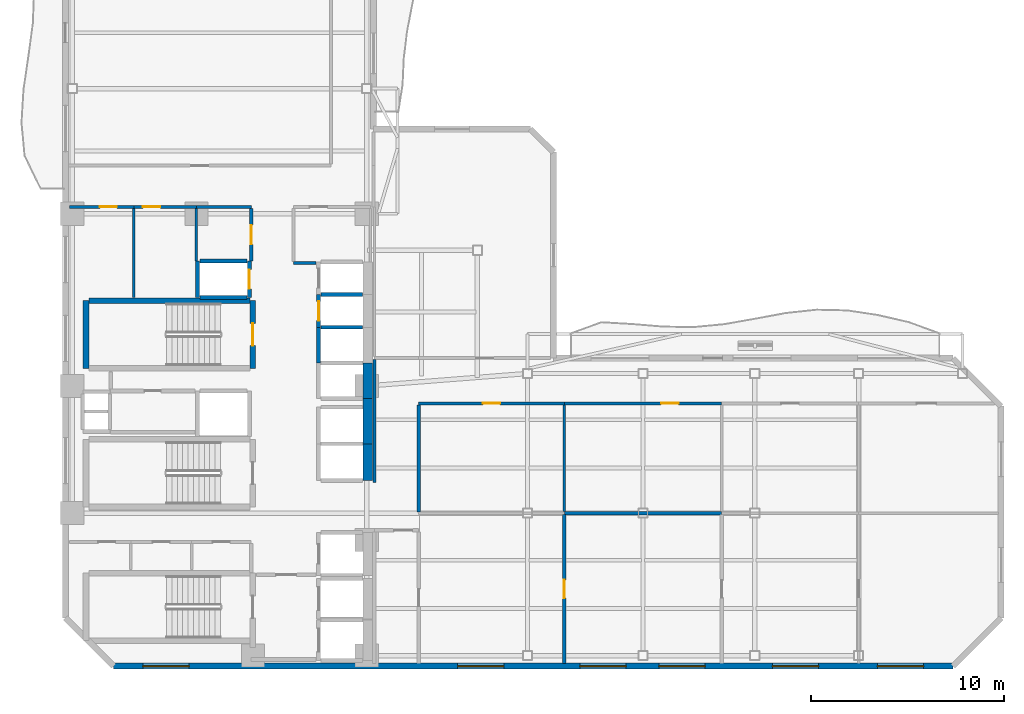
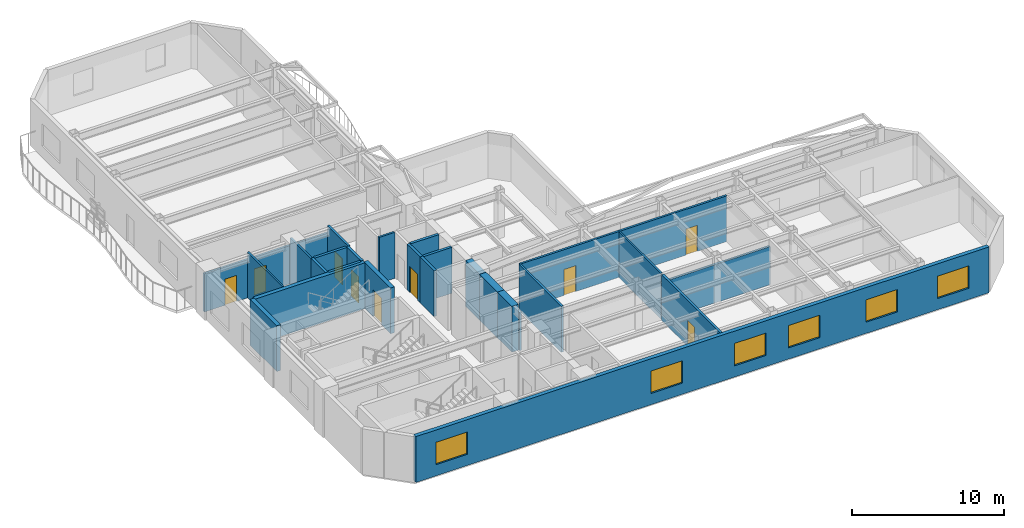
# One storey, part 4 of 9: 29 walls, 9 doors, 6 windows, 15 openings.
"""IFC4 building model written with IfcOpenShell, lengths in metres."""

import ifcopenshell
import ifcopenshell.guid

model = None  # the IFC model being written
_history = None  # IfcOwnerHistory: only IFC2X3 demands one
_inside = {}  # id of a spatial element -> (the spatial element, [elements in it])
_under = {}  # id of a project, library or spatial element -> (it, [spatial elements below it])
_declared = {}  # id of a project -> (the project, [libraries it declares])
_typed = {}  # id of a type object -> (the type object, [elements of that type])
_made_of = {}  # id of a material, layer set ... -> (it, [elements and type objects made of it])


def new_model(schema):
    """Start an empty IFC model of exactly this schema.

    Asked for "IFC4X3", IfcOpenShell would pick the latest addendum, in which some entities
    have other attributes; the version numbers below select the first issue.
    IFC2X3 requires an IfcOwnerHistory on every rooted entity: one is made here for all.
    """
    global model, _history
    if schema == "IFC4X3":
        model = ifcopenshell.file(schema_version=(4, 3, 0, 0))
    else:
        model = ifcopenshell.file(schema=schema)
    _inside.clear()
    _under.clear()
    _declared.clear()
    _typed.clear()
    _made_of.clear()
    _history = None
    if model.schema == "IFC2X3":
        org = make("IfcOrganization", Name="unknown")
        user = make(
            "IfcPersonAndOrganization",
            ThePerson=make("IfcPerson", FamilyName="unknown"),
            TheOrganization=org,
        )
        app = make(
            "IfcApplication",
            ApplicationDeveloper=org,
            Version="unknown",
            ApplicationFullName="unknown",
            ApplicationIdentifier="unknown",
        )
        _history = make(
            "IfcOwnerHistory",
            OwningUser=user,
            OwningApplication=app,
            ChangeAction="ADDED",
            CreationDate=0,
        )
    return model


def make(cls, **values):
    """One entity of the class cls with the attributes given. An attribute that is None is left unset."""
    return model.create_entity(
        cls, **{name: value for name, value in values.items() if value is not None}
    )


def rooted(cls, **values):
    """An entity with a GlobalId (a new one), such as an element, a storey or a relation."""
    return make(cls, GlobalId=ifcopenshell.guid.new(), OwnerHistory=_history, **values)


def si_unit(unit_type, name, prefix=None):
    """IfcSIUnit, for example si_unit("LENGTHUNIT", "METRE", prefix="MILLI")."""
    return make("IfcSIUnit", UnitType=unit_type, Prefix=prefix, Name=name)


def assignment(units):
    """IfcUnitAssignment: the units of a project."""
    return None if units is None else make("IfcUnitAssignment", Units=units)


def point(xyz):
    """IfcCartesianPoint."""
    return None if xyz is None else make("IfcCartesianPoint", Coordinates=xyz)


def direction(xyz):
    """IfcDirection."""
    return None if xyz is None else make("IfcDirection", DirectionRatios=xyz)


def frame(location, z_axis=None, x_axis=None):
    """IfcAxis2Placement3D, a coordinate frame: its origin and axes. An axis left out is left unset."""
    return make(
        "IfcAxis2Placement3D",
        Location=point(location),
        Axis=direction(z_axis),
        RefDirection=direction(x_axis),
    )


def frame_2d(location, x_axis=None):
    """IfcAxis2Placement2D, a coordinate frame in the plane: its origin and x axis."""
    return make(
        "IfcAxis2Placement2D", Location=point(location), RefDirection=direction(x_axis)
    )


def origin():
    """The frame at (0, 0, 0) with its axes left unset."""
    return frame((0.0, 0.0, 0.0))


def place(relative_to, where):
    """IfcLocalPlacement: puts the frame where relative to a parent placement (None: the world)."""
    return make(
        "IfcLocalPlacement", PlacementRelTo=relative_to, RelativePlacement=where
    )


def context(
    kind, dimensions, precision=None, world=None, true_north=None, identifier=None
):
    """IfcGeometricRepresentationContext, for example the 3D "Model" context."""
    return make(
        "IfcGeometricRepresentationContext",
        ContextIdentifier=identifier,
        ContextType=kind,
        CoordinateSpaceDimension=dimensions,
        Precision=precision,
        WorldCoordinateSystem=world,
        TrueNorth=true_north,
    )


def subcontext(parent, identifier, kind, view, scale=None):
    """IfcGeometricRepresentationSubContext, for example "Body" below "Model"."""
    return make(
        "IfcGeometricRepresentationSubContext",
        ContextIdentifier=identifier,
        ContextType=kind,
        ParentContext=parent,
        TargetScale=scale,
        TargetView=view,
    )


def project(units=None, contexts=None):
    """IfcProject with its units and contexts."""
    return rooted(
        "IfcProject",
        Name="project",
        RepresentationContexts=contexts,
        UnitsInContext=assignment(units),
    )


def spatial(cls, under=None, at=None, **own):
    """A site, building, storey or space (cls), placed at a placement, below another one or the project."""
    s = rooted(cls, ObjectPlacement=at, **own)
    if under is not None:
        _under.setdefault(under.id(), (under, []))[1].append(s)
    return s


def profile(cls, at=None, kind="AREA", **sizes):
    """A parametric profile (cls). Its sizes go by their IFC names, for example OverallWidth=200.0."""
    return make(cls, ProfileType=kind, Position=at, **sizes)


def rectangle(**sizes):
    """IfcRectangleProfileDef."""
    return profile("IfcRectangleProfileDef", **sizes)


def extrude(swept, where, along, depth):
    """IfcExtrudedAreaSolid: the profile swept, set in the frame where, extruded along a direction by depth."""
    return make(
        "IfcExtrudedAreaSolid",
        SweptArea=swept,
        Position=where,
        ExtrudedDirection=direction(along),
        Depth=depth,
    )


def shape(context_of_items, identifier, shape_type, items):
    """IfcShapeRepresentation: the items that make up one representation, for example the "Body"."""
    return make(
        "IfcShapeRepresentation",
        ContextOfItems=context_of_items,
        RepresentationIdentifier=identifier,
        RepresentationType=shape_type,
        Items=items,
    )


def material(Name=None, Category=None):
    """IfcMaterial."""
    return make("IfcMaterial", Name=Name, Category=Category)


def layer(
    of_material, thickness, ventilated=None, Name=None, Category=None, Priority=None
):
    """IfcMaterialLayer: one layer of a wall or slab, of a material (None: an air gap)."""
    return make(
        "IfcMaterialLayer",
        Material=of_material,
        LayerThickness=thickness,
        IsVentilated=ventilated,
        Name=Name,
        Category=Category,
        Priority=Priority,
    )


def layer_set(layers, Name=None):
    """IfcMaterialLayerSet."""
    return make("IfcMaterialLayerSet", MaterialLayers=layers, LayerSetName=Name)


def made_of(thing, what):
    """Note that an element or type object is made of a material, layer set ...; save() writes the relation."""
    if what is not None:
        _made_of.setdefault(what.id(), (what, []))[1].append(thing)
    return thing


def type_object(cls, material=None, **own):
    """A type object (cls), such as IfcWallType, which elements share."""
    return made_of(rooted(cls, **own), material)


def element(
    cls,
    number,
    at=None,
    inside=None,
    cuts=None,
    type_object=None,
    material=None,
    context=None,
    identifier="Body",
    shape_type=None,
    held_by="IfcProductDefinitionShape",
    body=None,
    shapes=None,
    **own,
):
    """One element of the class cls, such as IfcWall. Its Tag is "e" and its number.

    at: its placement. inside: the storey or other place that contains it. cuts: it is an
    opening in that element (IfcRelVoidsElement). A single representation is given by context,
    identifier, shape_type and body (its items); several are given by shapes. held_by: the class
    of the entity that holds the representations. save() writes the other relations.
    """
    e = rooted(cls, Tag="e%d" % number, ObjectPlacement=at, **own)
    if body is not None:
        shapes = [shape(context, identifier, shape_type, body)]
    if shapes is not None:
        e.Representation = make(held_by, Representations=shapes)
    if inside is not None:
        _inside.setdefault(inside.id(), (inside, []))[1].append(e)
    if cuts is not None:
        rooted(
            "IfcRelVoidsElement", RelatingBuildingElement=cuts, RelatedOpeningElement=e
        )
    if type_object is not None:
        _typed.setdefault(type_object.id(), (type_object, []))[1].append(e)
    return made_of(e, material)


def fill(opening, filler):
    """IfcRelFillsElement: the door or window that sits in an opening."""
    return rooted(
        "IfcRelFillsElement",
        RelatingOpeningElement=opening,
        RelatedBuildingElement=filler,
    )


def aggregate(whole, parts):
    """IfcRelAggregates: a whole, such as a stair, and the parts it consists of."""
    return rooted("IfcRelAggregates", RelatingObject=whole, RelatedObjects=parts)


def save(model, path):
    """Write the relations noted so far, then the file.

    IfcRelAggregates (storeys below a building ...), IfcRelContainedInSpatialStructure (elements
    in a storey), IfcRelDefinesByType, IfcRelAssociatesMaterial and IfcRelDeclares: one each for
    every whole, place, type object, material and project.
    """
    for whole, parts in _under.values():
        aggregate(whole, parts)
    for where, things in _inside.values():
        rooted(
            "IfcRelContainedInSpatialStructure",
            RelatedElements=things,
            RelatingStructure=where,
        )
    for kind, things in _typed.values():
        rooted("IfcRelDefinesByType", RelatedObjects=things, RelatingType=kind)
    for what, things in _made_of.values():
        rooted("IfcRelAssociatesMaterial", RelatedObjects=things, RelatingMaterial=what)
    for by, libraries in _declared.values():
        rooted("IfcRelDeclares", RelatingContext=by, RelatedDefinitions=libraries)
    model.write(path)


model = new_model("IFC4")

# Units and contexts
model_context = context("Model", 3, precision=1e-05, world=origin(), true_north=direction((0.0, 1.0)))
body_context = subcontext(model_context, "Body", "Model", "MODEL_VIEW")
ifc_project = project(units=[si_unit("LENGTHUNIT", "METRE"), si_unit("AREAUNIT", "SQUARE_METRE"), si_unit("VOLUMEUNIT", "CUBIC_METRE"), si_unit("PLANEANGLEUNIT", "RADIAN"), si_unit("MASSUNIT", "GRAM", prefix="KILO")], contexts=[model_context])

# Site, building, storey
site_placement = place(None, origin())
site = spatial("IfcSite", under=ifc_project, at=site_placement, CompositionType="ELEMENT")
building_placement = place(site_placement, origin())
building = spatial("IfcBuilding", under=site, at=building_placement, Name="Mawjaban Terraces University", CompositionType="ELEMENT")
storey_placement = place(building_placement, frame((0.0, 0.0, 130.699951171875)))
storey = spatial("IfcBuildingStorey", under=building, at=storey_placement, Name="L31", CompositionType="ELEMENT", Elevation=130.699951171875)

# Wall
ifc_material_1 = material(Name="Acoustic masonry blockwork", Category="masonry")
ifc_layer_1 = layer(ifc_material_1, 0.179931640625)
ifc_layer_set_1 = layer_set([ifc_layer_1], Name="Acoustic masonry blockwork")
wall_type_1 = type_object("IfcWallType", Name="AcousticStudioWall_180", PredefinedType="PARTITIONING", material=ifc_layer_set_1)
wall_1_placement = place(storey_placement, frame((56.080078125, 7.949951171875, 0.0), z_axis=(0.0, 0.0, 1.0), x_axis=(-1.0, 0.0, 0.0)))
element("IfcWall", 1, at=wall_1_placement, inside=storey, type_object=wall_type_1, Name="L31 Media Workshop 4 Partition 21", PredefinedType="PARTITIONING", context=body_context, shape_type="SweptSolid", body=[
    extrude(rectangle(XDim=8.170166015625, YDim=0.179931640625, at=frame_2d((4.0849609375, 0.0))), origin(), (0.0, 0.0, 1.0), 3.072998046875),
])

# Wall, opening, door
wall_2_placement = place(storey_placement, frame((47.909912109375, 0.14501953125, 0.0), z_axis=(0.0, 0.0, 1.0), x_axis=(0.0, 1.0, 0.0)))
wall_2 = element("IfcWall", 2, at=wall_2_placement, inside=storey, type_object=wall_type_1, Name="L31 Quiet Reading Room 2 Partition 44", PredefinedType="PARTITIONING", context=body_context, shape_type="SweptSolid", body=[
    extrude(rectangle(XDim=7.719970703125, YDim=0.179931640625, at=frame_2d((3.85986328125, 0.0))), origin(), (0.0, 0.0, 1.0), 3.68994140625),
])
opening_1_placement = place(wall_2_placement, frame((3.385009765625, 0.0, 0.0)))
opening_1 = element("IfcOpeningElement", 3, at=opening_1_placement, cuts=wall_2, Name="Opening ID-095", PredefinedType="OPENING", context=body_context, shape_type="SweptSolid", body=[
    extrude(rectangle(XDim=0.949951171875, YDim=2.10009765625, at=frame_2d((0.47509765625, 1.050048828125))), frame((0.0, 0.099853515625, 0.0), z_axis=(0.0, -1.0, 0.0), x_axis=(1.0, 0.0, 0.0)), (0.0, 0.0, 1.0), 0.199951171875),
])
ifc_material_2 = material(Name="Powder-coated steel frame and solid acoustic timber leaf", Category="steel")
door_type_1 = type_object("IfcDoorType", Name="StudioDoor_950x2100", OperationType="NOTDEFINED", PredefinedType="DOOR", material=ifc_material_2)
door_1_placement = place(opening_1_placement, origin())
door_1 = element("IfcDoor", 4, at=door_1_placement, inside=storey, type_object=door_type_1, Name="L31 Media Workshop 4 Door", OperationType="SINGLE_SWING_RIGHT", OverallHeight=2.10009765625, OverallWidth=0.949951171875, PredefinedType="DOOR", context=body_context, shape_type="SweptSolid", body=[
    extrude(rectangle(XDim=0.949951171875, YDim=2.10009765625, at=frame_2d((0.47509765625, 1.050048828125))), frame((0.0, 0.02490234375, 0.0), z_axis=(0.0, -1.0, 0.0), x_axis=(1.0, 0.0, 0.0)), (0.0, 0.0, 1.0), 0.050048828125),
])
fill(opening_1, door_1)

# Walls
ifc_material_3 = material(Name="Concrete C60/75", Category="concrete")
ifc_layer_2 = layer(ifc_material_3, 0.5)
ifc_layer_set_2 = layer_set([ifc_layer_2], Name="Concrete C60/75")
wall_type_2 = type_object("IfcWallType", Name="CoreShearWall_500", PredefinedType="SHEAR", material=ifc_layer_set_2)
wall_3_placement = place(storey_placement, frame((37.699951171875, 9.64990234375, 0.0), z_axis=(0.0, 0.0, 1.0), x_axis=(0.0, 1.0, 0.0)))
element("IfcWall", 5, at=wall_3_placement, inside=storey, type_object=wall_type_2, Name="L31 Lift PL-H1 Hoistway Wall East", PredefinedType="SHEAR", context=body_context, shape_type="SweptSolid", body=[
    extrude(rectangle(XDim=1.900146484375, YDim=0.5, at=frame_2d((0.9501953125, 0.0))), origin(), (0.0, 0.0, 1.0), 3.68994140625),
])
wall_4_placement = place(storey_placement, frame((37.699951171875, 11.550048828125, 0.0), z_axis=(0.0, 0.0, 1.0), x_axis=(0.0, 1.0, 0.0)))
element("IfcWall", 6, at=wall_4_placement, inside=storey, type_object=wall_type_2, Name="L31 Lift PL-H2 Hoistway Wall East", PredefinedType="SHEAR", context=body_context, shape_type="SweptSolid", body=[
    extrude(rectangle(XDim=2.349853515625, YDim=0.5, at=frame_2d((1.1748046875, 0.0))), origin(), (0.0, 0.0, 1.0), 3.68994140625),
])
wall_5_placement = place(storey_placement, frame((37.699951171875, 13.89990234375, 0.0), z_axis=(0.0, 0.0, 1.0), x_axis=(0.0, 1.0, 0.0)))
element("IfcWall", 7, at=wall_5_placement, inside=storey, type_object=wall_type_2, Name="L31 Lift OL-1 Hoistway Wall East", PredefinedType="SHEAR", context=body_context, shape_type="SweptSolid", body=[
    extrude(rectangle(XDim=1.85009765625, YDim=0.5, at=frame_2d((0.925048828125, 0.0))), origin(), (0.0, 0.0, 1.0), 3.68994140625),
])

# Wall, opening, door
ifc_material_4 = material(Name="Fire-rated gypsum board on steel stud", Category="steel")
ifc_layer_3 = layer(ifc_material_4, 0.159912109375)
ifc_layer_set_3 = layer_set([ifc_layer_3], Name="Fire-rated gypsum board on steel stud")
wall_type_3 = type_object("IfcWallType", Name="CorridorPartition_160", PredefinedType="PARTITIONING", material=ifc_layer_set_3)
wall_6_placement = place(storey_placement, frame((25.550048828125, 23.85009765625, 0.0), z_axis=(0.0, 0.0, 1.0), x_axis=(-1.0, 0.0, 0.0)))
wall_6 = element("IfcWall", 8, at=wall_6_placement, inside=storey, type_object=wall_type_3, Name="L31 Ablution Room Partition 5", PredefinedType="PARTITIONING", context=body_context, shape_type="SweptSolid", body=[
    extrude(rectangle(XDim=3.35009765625, YDim=0.159912109375, at=frame_2d((1.675048828125, 0.0))), origin(), (0.0, 0.0, 1.0), 3.072998046875),
])
opening_2_placement = place(wall_6_placement, frame((0.885009765625, 0.0, 0.0)))
opening_2 = element("IfcOpeningElement", 9, at=opening_2_placement, cuts=wall_6, Name="Opening ID-088", PredefinedType="OPENING", context=body_context, shape_type="SweptSolid", body=[
    extrude(rectangle(XDim=0.8798828125, YDim=2.10009765625, at=frame_2d((0.43994140625, 1.050048828125))), frame((0.0, 0.08984375, 0.0), z_axis=(0.0, -1.0, 0.0), x_axis=(1.0, 0.0, 0.0)), (0.0, 0.0, 1.0), 0.179931640625),
])
door_type_2 = type_object("IfcDoorType", Name="ToiletDoor_880x2100", OperationType="NOTDEFINED", PredefinedType="DOOR", material=ifc_material_2)
door_2_placement = place(opening_2_placement, origin())
door_2 = element("IfcDoor", 10, at=door_2_placement, inside=storey, type_object=door_type_2, Name="L31 Ablution Room Door", OperationType="SINGLE_SWING_LEFT", OverallHeight=2.10009765625, OverallWidth=0.8798828125, PredefinedType="DOOR", context=body_context, shape_type="SweptSolid", body=[
    extrude(rectangle(XDim=0.8798828125, YDim=2.10009765625, at=frame_2d((0.43994140625, 1.050048828125))), frame((0.0, 0.02490234375, 0.0), z_axis=(0.0, -1.0, 0.0), x_axis=(1.0, 0.0, 0.0)), (0.0, 0.0, 1.0), 0.050048828125),
])
fill(opening_2, door_2)

wall_7_placement = place(storey_placement, frame((28.800048828125, 23.85009765625, 0.0), z_axis=(0.0, 0.0, 1.0), x_axis=(-1.0, 0.0, 0.0)))
wall_7 = element("IfcWall", 11, at=wall_7_placement, inside=storey, type_object=wall_type_3, Name="L31 Cleaner Store Partition 7", PredefinedType="PARTITIONING", context=body_context, shape_type="SweptSolid", body=[
    extrude(rectangle(XDim=3.25, YDim=0.159912109375, at=frame_2d((1.625, 0.0))), origin(), (0.0, 0.0, 1.0), 3.072998046875),
])
opening_3_placement = place(wall_7_placement, frame((1.875, 0.0, 0.0)))
opening_3 = element("IfcOpeningElement", 12, at=opening_3_placement, cuts=wall_7, Name="Opening ID-090", PredefinedType="OPENING", context=body_context, shape_type="SweptSolid", body=[
    extrude(rectangle(XDim=0.89990234375, YDim=2.10009765625, at=frame_2d((0.449951171875, 1.050048828125))), frame((0.0, 0.08984375, 0.0), z_axis=(0.0, -1.0, 0.0), x_axis=(1.0, 0.0, 0.0)), (0.0, 0.0, 1.0), 0.179931640625),
])
door_type_3 = type_object("IfcDoorType", Name="OfficeDoor_900x2100", OperationType="NOTDEFINED", PredefinedType="DOOR", material=ifc_material_2)
door_3_placement = place(opening_3_placement, origin())
door_3 = element("IfcDoor", 13, at=door_3_placement, inside=storey, type_object=door_type_3, Name="L31 Cleaner Store Door", OperationType="SINGLE_SWING_RIGHT", OverallHeight=2.10009765625, OverallWidth=0.89990234375, PredefinedType="DOOR", context=body_context, shape_type="SweptSolid", body=[
    extrude(rectangle(XDim=0.89990234375, YDim=2.10009765625, at=frame_2d((0.449951171875, 1.050048828125))), frame((0.0, 0.02490234375, 0.0), z_axis=(0.0, -1.0, 0.0), x_axis=(1.0, 0.0, 0.0)), (0.0, 0.0, 1.0), 0.050048828125),
])
fill(opening_3, door_3)

# Walls
wall_8_placement = place(storey_placement, frame((31.64990234375, 23.85009765625, 0.0), z_axis=(0.0, 0.0, 1.0), x_axis=(-1.0, 0.0, 0.0)))
element("IfcWall", 14, at=wall_8_placement, inside=storey, type_object=wall_type_3, Name="L31 Academic Tutorial Alcove Partition 9", PredefinedType="PARTITIONING", context=body_context, shape_type="SweptSolid", body=[
    extrude(rectangle(XDim=2.849853515625, YDim=0.159912109375, at=frame_2d((1.4248046875, 0.0))), origin(), (0.0, 0.0, 1.0), 3.072998046875),
])
wall_9_placement = place(storey_placement, frame((35.02001953125, 20.949951171875, 0.0), z_axis=(0.0, 0.0, 1.0), x_axis=(-1.0, 0.0, 0.0)))
element("IfcWall", 15, at=wall_9_placement, inside=storey, type_object=wall_type_3, Name="L31 Passenger Lift Lobby Partition 11", PredefinedType="PARTITIONING", context=body_context, shape_type="SweptSolid", body=[
    extrude(rectangle(XDim=1.169921875, YDim=0.159912109375, at=frame_2d((0.5849609375, 0.0))), origin(), (0.0, 0.0, 1.0), 3.68994140625),
])

# Wall, opening, door
wall_10_placement = place(storey_placement, frame((40.35009765625, 13.64990234375, 0.0), z_axis=(0.0, 0.0, 1.0), x_axis=(1.0, 0.0, 0.0)))
wall_10 = element("IfcWall", 16, at=wall_10_placement, inside=storey, type_object=wall_type_3, Name="L31 Inner Terrace Gallery Corridor East Partition 16", PredefinedType="PARTITIONING", context=body_context, shape_type="SweptSolid", body=[
    extrude(rectangle(XDim=7.559814453125, YDim=0.159912109375, at=frame_2d((3.77978515625, 0.0))), origin(), (0.0, 0.0, 1.0), 3.68994140625),
])
opening_4_placement = place(wall_10_placement, frame((3.330078125, 0.0, 0.0)))
opening_4 = element("IfcOpeningElement", 17, at=opening_4_placement, cuts=wall_10, Name="Opening ID-090", PredefinedType="OPENING", context=body_context, shape_type="SweptSolid", body=[
    extrude(rectangle(XDim=0.89990234375, YDim=2.10009765625, at=frame_2d((0.449951171875, 1.050048828125))), frame((0.0, 0.08984375, 0.0), z_axis=(0.0, -1.0, 0.0), x_axis=(1.0, 0.0, 0.0)), (0.0, 0.0, 1.0), 0.179931640625),
])
door_4_placement = place(opening_4_placement, origin())
door_4 = element("IfcDoor", 18, at=door_4_placement, inside=storey, type_object=door_type_3, Name="L31 Reading Salon 3 Door", OperationType="SINGLE_SWING_LEFT", OverallHeight=2.10009765625, OverallWidth=0.89990234375, PredefinedType="DOOR", context=body_context, shape_type="SweptSolid", body=[
    extrude(rectangle(XDim=0.89990234375, YDim=2.10009765625, at=frame_2d((0.449951171875, 1.050048828125))), frame((0.0, 0.02490234375, 0.0), z_axis=(0.0, -1.0, 0.0), x_axis=(1.0, 0.0, 0.0)), (0.0, 0.0, 1.0), 0.050048828125),
])
fill(opening_4, door_4)

wall_11_placement = place(storey_placement, frame((47.909912109375, 13.64990234375, 0.0), z_axis=(0.0, 0.0, 1.0), x_axis=(1.0, 0.0, 0.0)))
wall_11 = element("IfcWall", 19, at=wall_11_placement, inside=storey, type_object=wall_type_3, Name="L31 Inner Terrace Gallery Corridor East Partition 20", PredefinedType="PARTITIONING", context=body_context, shape_type="SweptSolid", body=[
    extrude(rectangle(XDim=8.170166015625, YDim=0.159912109375, at=frame_2d((4.0849609375, 0.0))), origin(), (0.0, 0.0, 1.0), 3.68994140625),
])
opening_5_placement = place(wall_11_placement, frame((5.034912109375, 0.0, 0.0)))
opening_5 = element("IfcOpeningElement", 20, at=opening_5_placement, cuts=wall_11, Name="Opening ID-090", PredefinedType="OPENING", context=body_context, shape_type="SweptSolid", body=[
    extrude(rectangle(XDim=0.89990234375, YDim=2.10009765625, at=frame_2d((0.449951171875, 1.050048828125))), frame((0.0, 0.08984375, 0.0), z_axis=(0.0, -1.0, 0.0), x_axis=(1.0, 0.0, 0.0)), (0.0, 0.0, 1.0), 0.179931640625),
])
door_5_placement = place(opening_5_placement, origin())
door_5 = element("IfcDoor", 21, at=door_5_placement, inside=storey, type_object=door_type_3, Name="L31 Quiet Reading Room 5 Door", OperationType="SINGLE_SWING_LEFT", OverallHeight=2.10009765625, OverallWidth=0.89990234375, PredefinedType="DOOR", context=body_context, shape_type="SweptSolid", body=[
    extrude(rectangle(XDim=0.89990234375, YDim=2.10009765625, at=frame_2d((0.449951171875, 1.050048828125))), frame((0.0, 0.02490234375, 0.0), z_axis=(0.0, -1.0, 0.0), x_axis=(1.0, 0.0, 0.0)), (0.0, 0.0, 1.0), 0.050048828125),
])
fill(opening_5, door_5)

wall_12_placement = place(storey_placement, frame((31.64990234375, 23.77490234375, 0.0), z_axis=(0.0, 0.0, 1.0), x_axis=(0.0, -1.0, 0.0)))
wall_12 = element("IfcWall", 22, at=wall_12_placement, inside=storey, type_object=wall_type_3, Name="L31 Core North Lift Lobby Partition 32", PredefinedType="PARTITIONING", context=body_context, shape_type="SweptSolid", body=[
    extrude(rectangle(XDim=2.724853515625, YDim=0.159912109375, at=frame_2d((1.3623046875, 0.0))), origin(), (0.0, 0.0, 1.0), 3.68994140625),
])
opening_6_placement = place(wall_12_placement, frame((0.862060546875, 0.0, 0.0)))
opening_6 = element("IfcOpeningElement", 23, at=opening_6_placement, cuts=wall_12, Name="Opening ID-100", PredefinedType="OPENING", context=body_context, shape_type="SweptSolid", body=[
    extrude(rectangle(XDim=1.0, YDim=2.10009765625, at=frame_2d((0.5, 1.050048828125))), frame((0.0, 0.08984375, 0.0), z_axis=(0.0, -1.0, 0.0), x_axis=(1.0, 0.0, 0.0)), (0.0, 0.0, 1.0), 0.179931640625),
])
door_type_4 = type_object("IfcDoorType", Name="ClassroomDoor_1000x2100", OperationType="NOTDEFINED", PredefinedType="DOOR", material=ifc_material_2)
door_6_placement = place(opening_6_placement, origin())
door_6 = element("IfcDoor", 24, at=door_6_placement, inside=storey, type_object=door_type_4, Name="L31 Academic Tutorial Alcove Door", OperationType="SINGLE_SWING_RIGHT", OverallHeight=2.10009765625, OverallWidth=1.0, PredefinedType="DOOR", context=body_context, shape_type="SweptSolid", body=[
    extrude(rectangle(XDim=1.0, YDim=2.10009765625, at=frame_2d((0.5, 1.050048828125))), frame((0.0, 0.02490234375, 0.0), z_axis=(0.0, -1.0, 0.0), x_axis=(1.0, 0.0, 0.0)), (0.0, 0.0, 1.0), 0.050048828125),
])
fill(opening_6, door_6)

# Walls
wall_13_placement = place(storey_placement, frame((38.050048828125, 15.925048828125, 0.0), z_axis=(0.0, 0.0, 1.0), x_axis=(0.0, -1.0, 0.0)))
element("IfcWall", 25, at=wall_13_placement, inside=storey, type_object=wall_type_3, Name="L31 Inner Gallery Link Corridor Partition 40", PredefinedType="PARTITIONING", context=body_context, shape_type="SweptSolid", body=[
    extrude(rectangle(XDim=6.375, YDim=0.159912109375, at=frame_2d((3.1875, 0.0))), origin(), (0.0, 0.0, 1.0), 3.072998046875),
])
wall_14_placement = place(storey_placement, frame((40.35009765625, 8.008056640625, 0.0), z_axis=(0.0, 0.0, 1.0), x_axis=(0.0, 1.0, 0.0)))
element("IfcWall", 26, at=wall_14_placement, inside=storey, type_object=wall_type_3, Name="L31 Inner Gallery Link Corridor Partition 43", PredefinedType="PARTITIONING", context=body_context, shape_type="SweptSolid", body=[
    extrude(rectangle(XDim=5.56689453125, YDim=0.159912109375, at=frame_2d((2.783447265625, 0.0))), origin(), (0.0, 0.0, 1.0), 3.68994140625),
])

# Wall, openings, windows
ifc_material_5 = material(Name="Insulated terracotta rainscreen on concrete backup C40/50", Category="masonry")
ifc_layer_4 = layer(ifc_material_5, 0.300048828125)
ifc_layer_set_4 = layer_set([ifc_layer_4], Name="Insulated terracotta rainscreen on concrete backup C40/50")
wall_type_4 = type_object("IfcWallType", Name="ExtTerracottaWall_300", PredefinedType="SOLIDWALL", material=ifc_layer_set_4)
wall_15_placement = place(storey_placement, frame((24.5, 0.0, 0.0), z_axis=(0.0, 0.0, 1.0), x_axis=(1.0, 0.0, 0.0)))
wall_15 = element("IfcWall", 27, at=wall_15_placement, inside=storey, type_object=wall_type_4, Name="L31 Exterior Terracotta Wall 1", PredefinedType="SOLIDWALL", context=body_context, shape_type="SweptSolid", body=[
    extrude(rectangle(XDim=43.60009765625, YDim=0.300048828125, at=frame_2d((21.800048828125, 0.0))), origin(), (0.0, 0.0, 1.0), 3.68994140625),
])
opening_7_placement = place(wall_15_placement, frame((1.52490234375, 0.0, 0.89990234375)))
opening_7 = element("IfcOpeningElement", 28, at=opening_7_placement, cuts=wall_15, Name="Opening W-08", PredefinedType="OPENING", context=body_context, shape_type="SweptSolid", body=[
    extrude(rectangle(XDim=2.39990234375, YDim=1.800048828125, at=frame_2d((1.199951171875, 0.89990234375))), frame((0.0, 0.159912109375, 0.0), z_axis=(0.0, -1.0, 0.0), x_axis=(1.0, 0.0, 0.0)), (0.0, 0.0, 1.0), 0.320068359375),
])
opening_8_placement = place(wall_15_placement, frame((17.875, 0.0, 0.89990234375)))
opening_8 = element("IfcOpeningElement", 29, at=opening_8_placement, cuts=wall_15, Name="Opening W-08", PredefinedType="OPENING", context=body_context, shape_type="SweptSolid", body=[
    extrude(rectangle(XDim=2.39990234375, YDim=1.800048828125, at=frame_2d((1.199951171875, 0.89990234375))), frame((0.0, 0.159912109375, 0.0), z_axis=(0.0, -1.0, 0.0), x_axis=(1.0, 0.0, 0.0)), (0.0, 0.0, 1.0), 0.320068359375),
])
opening_9_placement = place(wall_15_placement, frame((24.22509765625, 0.0, 0.89990234375)))
opening_9 = element("IfcOpeningElement", 30, at=opening_9_placement, cuts=wall_15, Name="Opening W-08", PredefinedType="OPENING", context=body_context, shape_type="SweptSolid", body=[
    extrude(rectangle(XDim=2.39990234375, YDim=1.800048828125, at=frame_2d((1.199951171875, 0.89990234375))), frame((0.0, 0.159912109375, 0.0), z_axis=(0.0, -1.0, 0.0), x_axis=(1.0, 0.0, 0.0)), (0.0, 0.0, 1.0), 0.320068359375),
])
opening_10_placement = place(wall_15_placement, frame((28.324951171875, 0.0, 0.89990234375)))
opening_10 = element("IfcOpeningElement", 31, at=opening_10_placement, cuts=wall_15, Name="Opening W-08", PredefinedType="OPENING", context=body_context, shape_type="SweptSolid", body=[
    extrude(rectangle(XDim=2.39990234375, YDim=1.800048828125, at=frame_2d((1.199951171875, 0.89990234375))), frame((0.0, 0.159912109375, 0.0), z_axis=(0.0, -1.0, 0.0), x_axis=(1.0, 0.0, 0.0)), (0.0, 0.0, 1.0), 0.320068359375),
])
opening_11_placement = place(wall_15_placement, frame((34.22509765625, 0.0, 0.89990234375)))
opening_11 = element("IfcOpeningElement", 32, at=opening_11_placement, cuts=wall_15, Name="Opening W-08", PredefinedType="OPENING", context=body_context, shape_type="SweptSolid", body=[
    extrude(rectangle(XDim=2.39990234375, YDim=1.800048828125, at=frame_2d((1.199951171875, 0.89990234375))), frame((0.0, 0.159912109375, 0.0), z_axis=(0.0, -1.0, 0.0), x_axis=(1.0, 0.0, 0.0)), (0.0, 0.0, 1.0), 0.320068359375),
])
opening_12_placement = place(wall_15_placement, frame((39.675048828125, 0.0, 0.89990234375)))
opening_12 = element("IfcOpeningElement", 33, at=opening_12_placement, cuts=wall_15, Name="Opening W-08", PredefinedType="OPENING", context=body_context, shape_type="SweptSolid", body=[
    extrude(rectangle(XDim=2.39990234375, YDim=1.800048828125, at=frame_2d((1.199951171875, 0.89990234375))), frame((0.0, 0.159912109375, 0.0), z_axis=(0.0, -1.0, 0.0), x_axis=(1.0, 0.0, 0.0)), (0.0, 0.0, 1.0), 0.320068359375),
])
ifc_material_6 = material(Name="Low-E solar-control double glazing in thermally broken aluminium frame", Category="aluminium")
window_type = type_object("IfcWindowType", Name="Win_2400x1800", PartitioningType="SINGLE_PANEL", PredefinedType="WINDOW", material=ifc_material_6)
window_1_placement = place(opening_7_placement, origin())
window_1 = element("IfcWindow", 34, at=window_1_placement, inside=storey, type_object=window_type, Name="L31 Facade Window 1.1", OverallHeight=1.800048828125, OverallWidth=2.39990234375, PartitioningType="SINGLE_PANEL", PredefinedType="WINDOW", context=body_context, shape_type="SweptSolid", body=[
    extrude(rectangle(XDim=2.39990234375, YDim=1.800048828125, at=frame_2d((1.199951171875, 0.89990234375))), frame((0.0, 0.030029296875, 0.0), z_axis=(0.0, -1.0, 0.0), x_axis=(1.0, 0.0, 0.0)), (0.0, 0.0, 1.0), 0.06005859375),
])
fill(opening_7, window_1)
window_2_placement = place(opening_8_placement, origin())
window_2 = element("IfcWindow", 35, at=window_2_placement, inside=storey, type_object=window_type, Name="L31 Facade Window 1.4", OverallHeight=1.800048828125, OverallWidth=2.39990234375, PartitioningType="SINGLE_PANEL", PredefinedType="WINDOW", context=body_context, shape_type="SweptSolid", body=[
    extrude(rectangle(XDim=2.39990234375, YDim=1.800048828125, at=frame_2d((1.199951171875, 0.89990234375))), frame((0.0, 0.030029296875, 0.0), z_axis=(0.0, -1.0, 0.0), x_axis=(1.0, 0.0, 0.0)), (0.0, 0.0, 1.0), 0.06005859375),
])
fill(opening_8, window_2)
window_3_placement = place(opening_9_placement, origin())
window_3 = element("IfcWindow", 36, at=window_3_placement, inside=storey, type_object=window_type, Name="L31 Facade Window 1.5", OverallHeight=1.800048828125, OverallWidth=2.39990234375, PartitioningType="SINGLE_PANEL", PredefinedType="WINDOW", context=body_context, shape_type="SweptSolid", body=[
    extrude(rectangle(XDim=2.39990234375, YDim=1.800048828125, at=frame_2d((1.199951171875, 0.89990234375))), frame((0.0, 0.030029296875, 0.0), z_axis=(0.0, -1.0, 0.0), x_axis=(1.0, 0.0, 0.0)), (0.0, 0.0, 1.0), 0.06005859375),
])
fill(opening_9, window_3)
window_4_placement = place(opening_10_placement, origin())
window_4 = element("IfcWindow", 37, at=window_4_placement, inside=storey, type_object=window_type, Name="L31 Facade Window 1.6", OverallHeight=1.800048828125, OverallWidth=2.39990234375, PartitioningType="SINGLE_PANEL", PredefinedType="WINDOW", context=body_context, shape_type="SweptSolid", body=[
    extrude(rectangle(XDim=2.39990234375, YDim=1.800048828125, at=frame_2d((1.199951171875, 0.89990234375))), frame((0.0, 0.030029296875, 0.0), z_axis=(0.0, -1.0, 0.0), x_axis=(1.0, 0.0, 0.0)), (0.0, 0.0, 1.0), 0.06005859375),
])
fill(opening_10, window_4)
window_5_placement = place(opening_11_placement, origin())
window_5 = element("IfcWindow", 38, at=window_5_placement, inside=storey, type_object=window_type, Name="L31 Facade Window 1.7", OverallHeight=1.800048828125, OverallWidth=2.39990234375, PartitioningType="SINGLE_PANEL", PredefinedType="WINDOW", context=body_context, shape_type="SweptSolid", body=[
    extrude(rectangle(XDim=2.39990234375, YDim=1.800048828125, at=frame_2d((1.199951171875, 0.89990234375))), frame((0.0, 0.030029296875, 0.0), z_axis=(0.0, -1.0, 0.0), x_axis=(1.0, 0.0, 0.0)), (0.0, 0.0, 1.0), 0.06005859375),
])
fill(opening_11, window_5)
window_6_placement = place(opening_12_placement, origin())
window_6 = element("IfcWindow", 39, at=window_6_placement, inside=storey, type_object=window_type, Name="L31 Facade Window 1.8", OverallHeight=1.800048828125, OverallWidth=2.39990234375, PartitioningType="SINGLE_PANEL", PredefinedType="WINDOW", context=body_context, shape_type="SweptSolid", body=[
    extrude(rectangle(XDim=2.39990234375, YDim=1.800048828125, at=frame_2d((1.199951171875, 0.89990234375))), frame((0.0, 0.030029296875, 0.0), z_axis=(0.0, -1.0, 0.0), x_axis=(1.0, 0.0, 0.0)), (0.0, 0.0, 1.0), 0.06005859375),
])
fill(opening_12, window_6)

# Walls
ifc_material_7 = material(Name="Concrete C40/50", Category="concrete")
ifc_layer_5 = layer(ifc_material_7, 0.199951171875)
ifc_layer_set_5 = layer_set([ifc_layer_5], Name="Concrete C40/50")
wall_type_5 = type_object("IfcWallType", Name="FireLobbyWall_200", PredefinedType="SOLIDWALL", material=ifc_layer_set_5)
wall_16_placement = place(storey_placement, frame((35.14990234375, 17.60009765625, 0.0), z_axis=(0.0, 0.0, 1.0), x_axis=(0.0, -1.0, 0.0)))
element("IfcWall", 40, at=wall_16_placement, inside=storey, type_object=wall_type_5, Name="L31 Lift OL-2 Hoistway Wall West", PredefinedType="SOLIDWALL", context=body_context, shape_type="SweptSolid", body=[
    extrude(rectangle(XDim=1.85009765625, YDim=0.199951171875, at=frame_2d((0.925048828125, 0.0))), origin(), (0.0, 0.0, 1.0), 3.68994140625),
])
wall_17_placement = place(storey_placement, frame((37.419921875, 17.60009765625, 0.0), z_axis=(0.0, 0.0, 1.0), x_axis=(-1.0, 0.0, 0.0)))
element("IfcWall", 41, at=wall_17_placement, inside=storey, type_object=wall_type_5, Name="L31 Lift OL-2 Hoistway Wall North", PredefinedType="SOLIDWALL", context=body_context, shape_type="SweptSolid", body=[
    extrude(rectangle(XDim=2.139892578125, YDim=0.199951171875, at=frame_2d((1.06982421875, 0.0))), origin(), (0.0, 0.0, 1.0), 3.68994140625),
])

# Wall, opening, door
wall_18_placement = place(storey_placement, frame((35.14990234375, 19.300048828125, 0.0), z_axis=(0.0, 0.0, 1.0), x_axis=(0.0, -1.0, 0.0)))
wall_18 = element("IfcWall", 42, at=wall_18_placement, inside=storey, type_object=wall_type_5, Name="L31 Lift PL-M1 Hoistway Wall West", PredefinedType="SOLIDWALL", context=body_context, shape_type="SweptSolid", body=[
    extrude(rectangle(XDim=1.699951171875, YDim=0.199951171875, at=frame_2d((0.85009765625, 0.0))), origin(), (0.0, 0.0, 1.0), 3.68994140625),
])
opening_13_placement = place(wall_18_placement, frame((0.35009765625, 0.0, 0.0)))
opening_13 = element("IfcOpeningElement", 43, at=opening_13_placement, cuts=wall_18, Name="Opening LD-PL-M1", PredefinedType="OPENING", context=body_context, shape_type="SweptSolid", body=[
    extrude(rectangle(XDim=1.0, YDim=2.10009765625, at=frame_2d((0.5, 1.050048828125))), frame((0.0, 0.10986328125, 0.0), z_axis=(0.0, -1.0, 0.0), x_axis=(1.0, 0.0, 0.0)), (0.0, 0.0, 1.0), 0.219970703125),
])
ifc_material_8 = material(Name="Powder-coated steel frame and fire-rated steel-faced leaf", Category="steel")
door_type_5 = type_object("IfcDoorType", Name="LiftLandingSliding_1000x2100", OperationType="NOTDEFINED", PredefinedType="DOOR", material=ifc_material_8)
door_7_placement = place(opening_13_placement, origin())
door_7 = element("IfcDoor", 44, at=door_7_placement, inside=storey, type_object=door_type_5, Name="L31 Lift PL-M1 Sliding Landing Door", OperationType="DOUBLE_DOOR_SLIDING", OverallHeight=2.10009765625, OverallWidth=1.0, PredefinedType="DOOR", context=body_context, shape_type="SweptSolid", body=[
    extrude(rectangle(XDim=1.0, YDim=2.10009765625, at=frame_2d((0.5, 1.050048828125))), frame((0.0, 0.02490234375, 0.0), z_axis=(0.0, -1.0, 0.0), x_axis=(1.0, 0.0, 0.0)), (0.0, 0.0, 1.0), 0.050048828125),
])
fill(opening_13, door_7)

# Walls
wall_19_placement = place(storey_placement, frame((37.419921875, 19.300048828125, 0.0), z_axis=(0.0, 0.0, 1.0), x_axis=(-1.0, 0.0, 0.0)))
element("IfcWall", 45, at=wall_19_placement, inside=storey, type_object=wall_type_5, Name="L31 Lift PL-M1 Hoistway Wall North", PredefinedType="SOLIDWALL", context=body_context, shape_type="SweptSolid", body=[
    extrude(rectangle(XDim=2.139892578125, YDim=0.199951171875, at=frame_2d((1.06982421875, 0.0))), origin(), (0.0, 0.0, 1.0), 3.68994140625),
])
wall_20_placement = place(storey_placement, frame((28.85009765625, 21.050048828125, 0.0), z_axis=(0.0, 0.0, 1.0), x_axis=(0.0, -1.0, 0.0)))
element("IfcWall", 46, at=wall_20_placement, inside=storey, type_object=wall_type_5, Name="L31 Lift PL-M3 Hoistway Wall West", PredefinedType="SOLIDWALL", context=body_context, shape_type="SweptSolid", body=[
    extrude(rectangle(XDim=1.900146484375, YDim=0.199951171875, at=frame_2d((0.9501953125, 0.0))), origin(), (0.0, 0.0, 1.0), 3.68994140625),
])

# Wall, opening, door
wall_21_placement = place(storey_placement, frame((31.550048828125, 19.14990234375, 0.0), z_axis=(0.0, 0.0, 1.0), x_axis=(0.0, 1.0, 0.0)))
wall_21 = element("IfcWall", 47, at=wall_21_placement, inside=storey, type_object=wall_type_5, Name="L31 Lift PL-M3 Hoistway Wall East", PredefinedType="SOLIDWALL", context=body_context, shape_type="SweptSolid", body=[
    extrude(rectangle(XDim=1.900146484375, YDim=0.199951171875, at=frame_2d((0.9501953125, 0.0))), origin(), (0.0, 0.0, 1.0), 3.68994140625),
])
opening_14_placement = place(wall_21_placement, frame((0.449951171875, 0.0, 0.0)))
opening_14 = element("IfcOpeningElement", 48, at=opening_14_placement, cuts=wall_21, Name="Opening LD-PL-M3", PredefinedType="OPENING", context=body_context, shape_type="SweptSolid", body=[
    extrude(rectangle(XDim=1.0, YDim=2.10009765625, at=frame_2d((0.5, 1.050048828125))), frame((0.0, 0.10986328125, 0.0), z_axis=(0.0, -1.0, 0.0), x_axis=(1.0, 0.0, 0.0)), (0.0, 0.0, 1.0), 0.219970703125),
])
door_8_placement = place(opening_14_placement, origin())
door_8 = element("IfcDoor", 49, at=door_8_placement, inside=storey, type_object=door_type_5, Name="L31 Lift PL-M3 Sliding Landing Door", OperationType="DOUBLE_DOOR_SLIDING", OverallHeight=2.10009765625, OverallWidth=1.0, PredefinedType="DOOR", context=body_context, shape_type="SweptSolid", body=[
    extrude(rectangle(XDim=1.0, YDim=2.10009765625, at=frame_2d((0.5, 1.050048828125))), frame((0.0, 0.02490234375, 0.0), z_axis=(0.0, -1.0, 0.0), x_axis=(1.0, 0.0, 0.0)), (0.0, 0.0, 1.0), 0.050048828125),
])
fill(opening_14, door_8)

# Walls
for number, where, z_axis, x_axis, name in (
    (50, (28.97998046875, 19.14990234375, 0.0), (0.0, 0.0, 1.0), (1.0, 0.0, 0.0), "L31 Lift PL-M3 Hoistway Wall South"),
    (51, (31.419921875, 21.050048828125, 0.0), (0.0, 0.0, 1.0), (-1.0, 0.0, 0.0), "L31 Lift PL-M3 Hoistway Wall North"),
):
    element("IfcWall", number, at=place(storey_placement, frame(where, z_axis=z_axis, x_axis=x_axis)), inside=storey, type_object=wall_type_5, Name=name, PredefinedType="SOLIDWALL", context=body_context, shape_type="SweptSolid", body=[
        extrude(rectangle(XDim=2.43994140625, YDim=0.199951171875, at=frame_2d((1.219970703125, 0.0))), origin(), (0.0, 0.0, 1.0), 3.68994140625),
    ])
ifc_material_9 = material(Name="Gypsum plasterboard on steel stud", Category="steel")
ifc_layer_6 = layer(ifc_material_9, 0.125)
ifc_layer_set_6 = layer_set([ifc_layer_6], Name="Gypsum plasterboard on steel stud")
wall_type_6 = type_object("IfcWallType", Name="OfficePartition_125", PredefinedType="PARTITIONING", material=ifc_layer_set_6)
wall_22_placement = place(storey_placement, frame((28.800048828125, 23.77490234375, 0.0), z_axis=(0.0, 0.0, 1.0), x_axis=(0.0, -1.0, 0.0)))
element("IfcWall", 52, at=wall_22_placement, inside=storey, type_object=wall_type_6, Name="L31 Academic Tutorial Alcove Partition 30", PredefinedType="PARTITIONING", context=body_context, shape_type="SweptSolid", body=[
    extrude(rectangle(XDim=2.724853515625, YDim=0.125, at=frame_2d((1.3623046875, 0.0))), origin(), (0.0, 0.0, 1.0), 3.68994140625),
])
wall_23_placement = place(storey_placement, frame((47.909912109375, 8.034912109375, 0.0), z_axis=(0.0, 0.0, 1.0), x_axis=(0.0, 1.0, 0.0)))
element("IfcWall", 53, at=wall_23_placement, inside=storey, type_object=wall_type_6, Name="L31 Reading Salon 3 Partition 45", PredefinedType="PARTITIONING", context=body_context, shape_type="SweptSolid", body=[
    extrude(rectangle(XDim=5.5400390625, YDim=0.125, at=frame_2d((2.77001953125, 0.0))), origin(), (0.0, 0.0, 1.0), 3.68994140625),
])
ifc_layer_7 = layer(ifc_material_3, 0.300048828125)
ifc_layer_set_7 = layer_set([ifc_layer_7], Name="Concrete C60/75")
wall_type_7 = type_object("IfcWallType", Name="StairShaftWall_300", PredefinedType="SHEAR", material=ifc_layer_set_7)
wall_24_placement = place(storey_placement, frame((31.580078125, 18.97998046875, 0.0), z_axis=(0.0, 0.0, 1.0), x_axis=(-1.0, 0.0, 0.0)))
element("IfcWall", 54, at=wall_24_placement, inside=storey, type_object=wall_type_7, Name="L31 ST-2 Stair Shaft Wall 1", PredefinedType="SHEAR", context=body_context, shape_type="SweptSolid", body=[
    extrude(rectangle(XDim=8.360107421875, YDim=0.300048828125, at=frame_2d((4.18017578125, 0.0))), origin(), (0.0, 0.0, 1.0), 3.68994140625),
])
wall_25_placement = place(storey_placement, frame((23.070068359375, 18.97998046875, 0.0), z_axis=(0.0, 0.0, 1.0), x_axis=(0.0, -1.0, 0.0)))
element("IfcWall", 55, at=wall_25_placement, inside=storey, type_object=wall_type_7, Name="L31 ST-2 Stair Shaft Wall 2", PredefinedType="SHEAR", context=body_context, shape_type="SweptSolid", body=[
    extrude(rectangle(XDim=3.510009765625, YDim=0.300048828125, at=frame_2d((1.7548828125, 0.0))), origin(), (0.0, 0.0, 1.0), 3.68994140625),
])

# Wall, opening, door
wall_26_placement = place(storey_placement, frame((31.72998046875, 15.469970703125, 0.0), z_axis=(0.0, 0.0, 1.0), x_axis=(0.0, 1.0, 0.0)))
wall_26 = element("IfcWall", 56, at=wall_26_placement, inside=storey, type_object=wall_type_7, Name="L31 ST-2 Stair Shaft Wall 4", PredefinedType="SHEAR", context=body_context, shape_type="SweptSolid", body=[
    extrude(rectangle(XDim=3.510009765625, YDim=0.300048828125, at=frame_2d((1.7548828125, 0.0))), origin(), (0.0, 0.0, 1.0), 3.68994140625),
])
opening_15_placement = place(wall_26_placement, frame((1.179931640625, 0.0, 0.0)))
opening_15 = element("IfcOpeningElement", 57, at=opening_15_placement, cuts=wall_26, Name="Opening FD-115", PredefinedType="OPENING", context=body_context, shape_type="SweptSolid", body=[
    extrude(rectangle(XDim=1.14990234375, YDim=2.14990234375, at=frame_2d((0.574951171875, 1.074951171875))), frame((0.0, 0.159912109375, 0.0), z_axis=(0.0, -1.0, 0.0), x_axis=(1.0, 0.0, 0.0)), (0.0, 0.0, 1.0), 0.320068359375),
])
door_type_6 = type_object("IfcDoorType", Name="FireStairDoor_1150x2150", OperationType="NOTDEFINED", PredefinedType="DOOR", material=ifc_material_8)
door_9_placement = place(opening_15_placement, origin())
door_9 = element("IfcDoor", 58, at=door_9_placement, inside=storey, type_object=door_type_6, Name="L31 ST-2 Pressurised Stair Fire Door", OperationType="SINGLE_SWING_RIGHT", OverallHeight=2.14990234375, OverallWidth=1.14990234375, PredefinedType="DOOR", context=body_context, shape_type="SweptSolid", body=[
    extrude(rectangle(XDim=1.14990234375, YDim=2.14990234375, at=frame_2d((0.574951171875, 1.074951171875))), frame((0.0, 0.02490234375, 0.0), z_axis=(0.0, -1.0, 0.0), x_axis=(1.0, 0.0, 0.0)), (0.0, 0.0, 1.0), 0.050048828125),
])
fill(opening_15, door_9)

# Wall
ifc_material_10 = material(Name="Cement-board wet-room partition", Category="masonry")
ifc_layer_8 = layer(ifc_material_10, 0.135009765625)
ifc_layer_set_8 = layer_set([ifc_layer_8], Name="Cement-board wet-room partition")
wall_type_8 = type_object("IfcWallType", Name="WetRoomPartition_135", PredefinedType="PARTITIONING", material=ifc_layer_set_8)
wall_27_placement = place(storey_placement, frame((25.550048828125, 19.159912109375, 0.0), z_axis=(0.0, 0.0, 1.0), x_axis=(0.0, 1.0, 0.0)))
element("IfcWall", 59, at=wall_27_placement, inside=storey, type_object=wall_type_8, Name="L31 Ablution Room Partition 28", PredefinedType="PARTITIONING", context=body_context, shape_type="SweptSolid", body=[
    extrude(rectangle(XDim=4.614990234375, YDim=0.135009765625, at=frame_2d((2.3076171875, 0.0))), origin(), (0.0, 0.0, 1.0), 3.68994140625),
])

save(model, "model.ifc")
